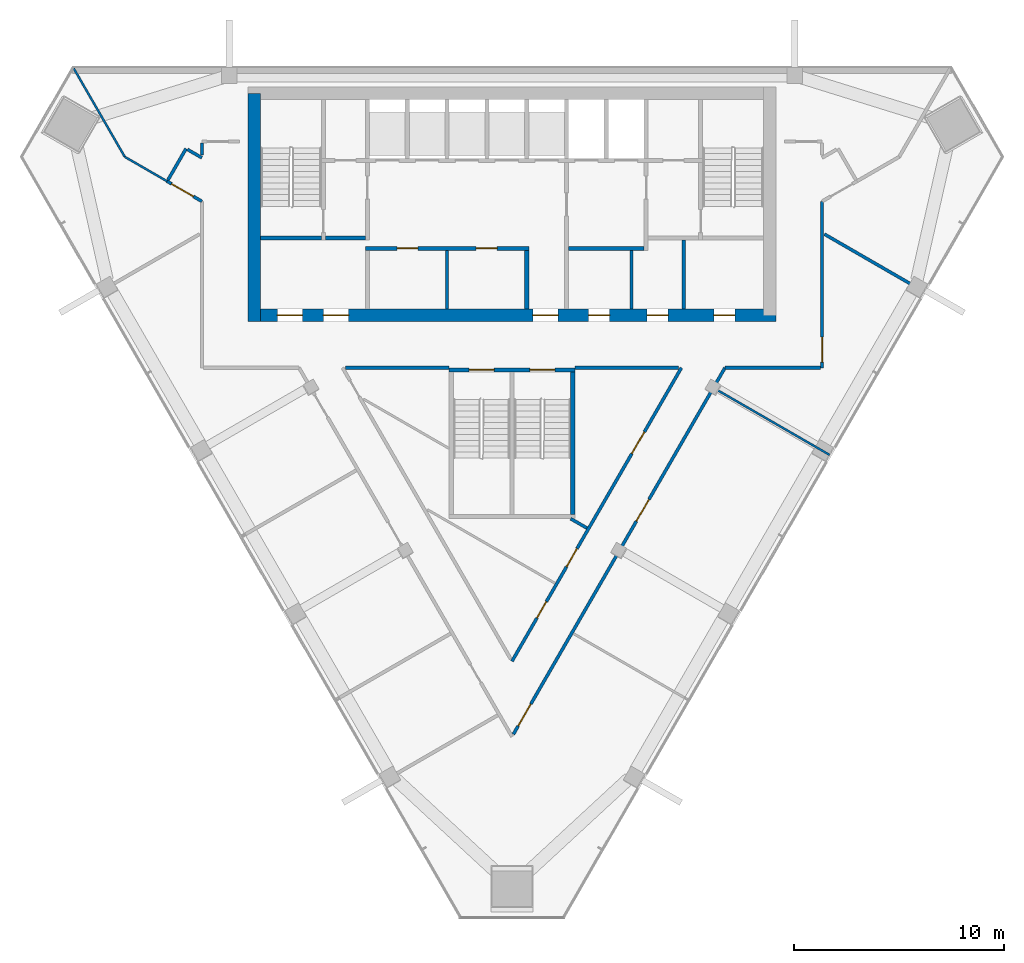
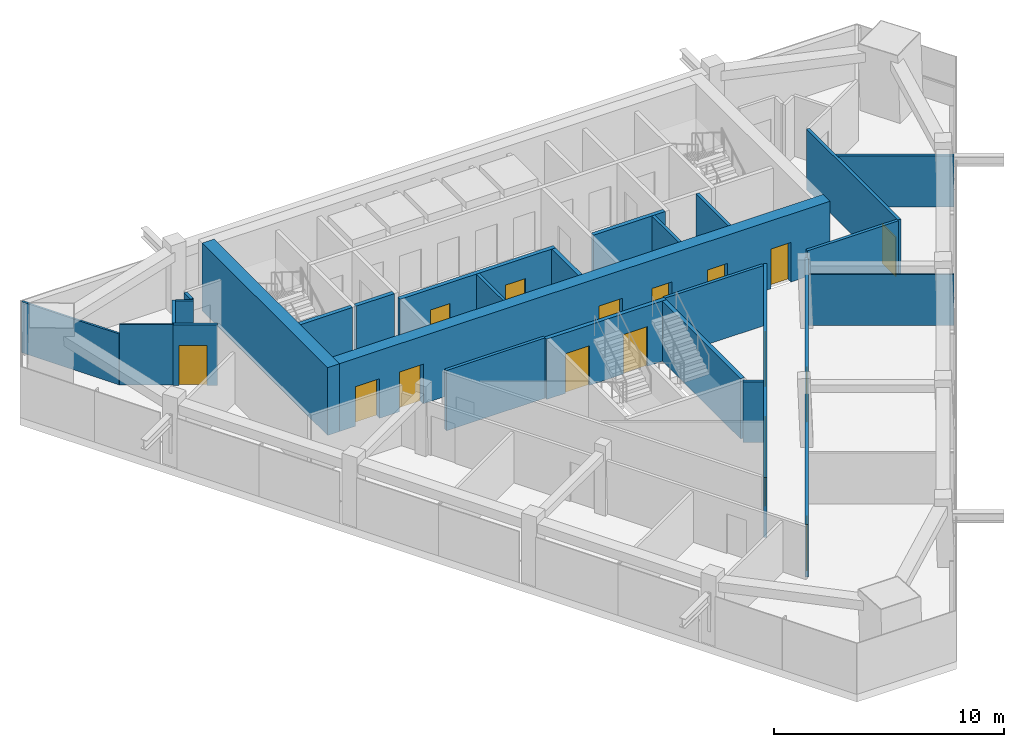
# One storey, part 8 of 12: 27 walls, 17 doors, 17 openings.
"""IFC4 building model written with IfcOpenShell, lengths in metres."""

from ifc_helpers import new_model, si_unit, direction, frame, frame_2d, origin, place, context, subcontext, project, spatial, rectangle, extrude, material, layer, layer_set, type_object, element, fill, save


model = new_model("IFC4")

# Units and contexts
model_context = context("Model", 3, precision=1e-05, world=origin(), true_north=direction((0.0, 1.0)))
body_context = subcontext(model_context, "Body", "Model", "MODEL_VIEW")
ifc_project = project(units=[si_unit("LENGTHUNIT", "METRE"), si_unit("AREAUNIT", "SQUARE_METRE"), si_unit("VOLUMEUNIT", "CUBIC_METRE"), si_unit("PLANEANGLEUNIT", "RADIAN"), si_unit("MASSUNIT", "GRAM", prefix="KILO")], contexts=[model_context])

# Site, building, storey
site_placement = place(None, origin())
site = spatial("IfcSite", under=ifc_project, at=site_placement, CompositionType="ELEMENT")
building_placement = place(site_placement, origin())
building = spatial("IfcBuilding", under=site, at=building_placement, Name="Altiplano Prism Tower", CompositionType="ELEMENT")
storey_placement = place(building_placement, frame((0.0, 0.0, 260.800048828125)))
storey = spatial("IfcBuildingStorey", under=building, at=storey_placement, Name="L67", CompositionType="ELEMENT", Elevation=260.800048828125)

# Wall, openings, doors
ifc_material_1 = material(Name="Concrete C60/75", Category="concrete")
ifc_layer_1 = layer(ifc_material_1, 0.60009765625)
ifc_layer_set_1 = layer_set([ifc_layer_1], Name="Concrete C60/75")
wall_type_1 = type_object("IfcWallType", Name="Core wall 600", PredefinedType="SHEAR", material=ifc_layer_set_1)
wall_1_placement = place(storey_placement, frame((72.699951171875, 93.10009765625, 0.0), z_axis=(0.0, 0.0, 1.0), x_axis=(1.0, 0.0, 0.0)))
wall_1 = element("IfcWall", 1, at=wall_1_placement, inside=storey, type_object=wall_type_1, Name="Core wall S L67", PredefinedType="SHEAR", context=body_context, shape_type="SweptSolid", body=[
    extrude(rectangle(XDim=24.900146484375, YDim=0.60009765625, at=frame_2d((12.4501953125, 0.0))), origin(), (0.0, 0.0, 1.0), 3.599853515625),
])
opening_1_placement = place(wall_1_placement, frame((1.10009765625, 0.0, 0.0)))
opening_1 = element("IfcOpeningElement", 2, at=opening_1_placement, cuts=wall_1, Name="Opening D3522", PredefinedType="OPENING", context=body_context, shape_type="SweptSolid", body=[
    extrude(rectangle(XDim=1.199951171875, YDim=2.10009765625, at=frame_2d((0.60009765625, 1.050048828125))), frame((0.0, 0.310546875, 0.0), z_axis=(0.0, -1.0, 0.0), x_axis=(1.0, 0.0, 0.0)), (0.0, 0.0, 1.0), 0.62109375),
])
opening_2_placement = place(wall_1_placement, frame((3.300048828125, 0.0, 0.0)))
opening_2 = element("IfcOpeningElement", 3, at=opening_2_placement, cuts=wall_1, Name="Opening D3523", PredefinedType="OPENING", context=body_context, shape_type="SweptSolid", body=[
    extrude(rectangle(XDim=1.199951171875, YDim=2.10009765625, at=frame_2d((0.60009765625, 1.050048828125))), frame((0.0, 0.310546875, 0.0), z_axis=(0.0, -1.0, 0.0), x_axis=(1.0, 0.0, 0.0)), (0.0, 0.0, 1.0), 0.62109375),
])
opening_3_placement = place(wall_1_placement, frame((13.300048828125, 0.0, 0.0)))
opening_3 = element("IfcOpeningElement", 4, at=opening_3_placement, cuts=wall_1, Name="Opening D3524", PredefinedType="OPENING", context=body_context, shape_type="SweptSolid", body=[
    extrude(rectangle(XDim=1.199951171875, YDim=2.10009765625, at=frame_2d((0.60009765625, 1.050048828125))), frame((0.0, 0.310546875, 0.0), z_axis=(0.0, -1.0, 0.0), x_axis=(1.0, 0.0, 0.0)), (0.0, 0.0, 1.0), 0.62109375),
])
opening_4_placement = place(wall_1_placement, frame((15.96240234375, 0.0, 0.0)))
opening_4 = element("IfcOpeningElement", 5, at=opening_4_placement, cuts=wall_1, Name="Opening D3527", PredefinedType="OPENING", context=body_context, shape_type="SweptSolid", body=[
    extrude(rectangle(XDim=1.0, YDim=2.10009765625, at=frame_2d((0.5, 1.050048828125))), frame((0.0, 0.310546875, 0.0), z_axis=(0.0, -1.0, 0.0), x_axis=(1.0, 0.0, 0.0)), (0.0, 0.0, 1.0), 0.62109375),
])
opening_5_placement = place(wall_1_placement, frame((18.75, 0.0, 0.0)))
opening_5 = element("IfcOpeningElement", 6, at=opening_5_placement, cuts=wall_1, Name="Opening D3528", PredefinedType="OPENING", context=body_context, shape_type="SweptSolid", body=[
    extrude(rectangle(XDim=1.0, YDim=2.10009765625, at=frame_2d((0.5, 1.050048828125))), frame((0.0, 0.310546875, 0.0), z_axis=(0.0, -1.0, 0.0), x_axis=(1.0, 0.0, 0.0)), (0.0, 0.0, 1.0), 0.62109375),
])
opening_6_placement = place(wall_1_placement, frame((21.9375, 0.0, 0.0)))
opening_6 = element("IfcOpeningElement", 7, at=opening_6_placement, cuts=wall_1, Name="Opening D3529", PredefinedType="OPENING", context=body_context, shape_type="SweptSolid", body=[
    extrude(rectangle(XDim=1.0, YDim=2.10009765625, at=frame_2d((0.5, 1.050048828125))), frame((0.0, 0.310546875, 0.0), z_axis=(0.0, -1.0, 0.0), x_axis=(1.0, 0.0, 0.0)), (0.0, 0.0, 1.0), 0.62109375),
])
ifc_material_2 = material(Name="Fire-rated steel door", Category="steel")
door_type_1 = type_object("IfcDoorType", Name="Core room door 1000 x 2100", OperationType="NOTDEFINED", PredefinedType="NOTDEFINED", material=ifc_material_2)
door_1_placement = place(opening_4_placement, origin())
door_1 = element("IfcDoor", 8, at=door_1_placement, inside=storey, type_object=door_type_1, Name="Core room door D3527", OperationType="SINGLE_SWING_RIGHT", OverallHeight=2.10009765625, OverallWidth=1.0, PredefinedType="NOTDEFINED", context=body_context, shape_type="SweptSolid", body=[
    extrude(rectangle(XDim=1.0, YDim=2.10009765625, at=frame_2d((0.5, 1.050048828125))), frame((0.0, 0.02490234375, 0.0), z_axis=(0.0, -1.0, 0.0), x_axis=(1.0, 0.0, 0.0)), (0.0, 0.0, 1.0), 0.050048828125),
])
fill(opening_4, door_1)
door_2_placement = place(opening_5_placement, origin())
door_2 = element("IfcDoor", 9, at=door_2_placement, inside=storey, type_object=door_type_1, Name="Core room door D3528", OperationType="SINGLE_SWING_LEFT", OverallHeight=2.10009765625, OverallWidth=1.0, PredefinedType="NOTDEFINED", context=body_context, shape_type="SweptSolid", body=[
    extrude(rectangle(XDim=1.0, YDim=2.10009765625, at=frame_2d((0.5, 1.050048828125))), frame((0.0, 0.02490234375, 0.0), z_axis=(0.0, -1.0, 0.0), x_axis=(1.0, 0.0, 0.0)), (0.0, 0.0, 1.0), 0.050048828125),
])
fill(opening_5, door_2)
door_3_placement = place(opening_6_placement, origin())
door_3 = element("IfcDoor", 10, at=door_3_placement, inside=storey, type_object=door_type_1, Name="Core room door D3529", OperationType="SINGLE_SWING_RIGHT", OverallHeight=2.10009765625, OverallWidth=1.0, PredefinedType="NOTDEFINED", context=body_context, shape_type="SweptSolid", body=[
    extrude(rectangle(XDim=1.0, YDim=2.10009765625, at=frame_2d((0.5, 1.050048828125))), frame((0.0, 0.02490234375, 0.0), z_axis=(0.0, -1.0, 0.0), x_axis=(1.0, 0.0, 0.0)), (0.0, 0.0, 1.0), 0.050048828125),
])
fill(opening_6, door_3)
door_type_2 = type_object("IfcDoorType", Name="Lobby fire door 1200 x 2100", OperationType="NOTDEFINED", PredefinedType="NOTDEFINED", material=ifc_material_2)
door_4_placement = place(opening_1_placement, origin())
door_4 = element("IfcDoor", 11, at=door_4_placement, inside=storey, type_object=door_type_2, Name="Lobby fire door D3522", OperationType="SINGLE_SWING_RIGHT", OverallHeight=2.10009765625, OverallWidth=1.199951171875, PredefinedType="NOTDEFINED", context=body_context, shape_type="SweptSolid", body=[
    extrude(rectangle(XDim=1.199951171875, YDim=2.10009765625, at=frame_2d((0.60009765625, 1.050048828125))), frame((0.0, 0.02490234375, 0.0), z_axis=(0.0, -1.0, 0.0), x_axis=(1.0, 0.0, 0.0)), (0.0, 0.0, 1.0), 0.050048828125),
])
fill(opening_1, door_4)
door_5_placement = place(opening_2_placement, origin())
door_5 = element("IfcDoor", 12, at=door_5_placement, inside=storey, type_object=door_type_2, Name="Lobby fire door D3523", OperationType="SINGLE_SWING_LEFT", OverallHeight=2.10009765625, OverallWidth=1.199951171875, PredefinedType="NOTDEFINED", context=body_context, shape_type="SweptSolid", body=[
    extrude(rectangle(XDim=1.199951171875, YDim=2.10009765625, at=frame_2d((0.60009765625, 1.050048828125))), frame((0.0, 0.02490234375, 0.0), z_axis=(0.0, -1.0, 0.0), x_axis=(1.0, 0.0, 0.0)), (0.0, 0.0, 1.0), 0.050048828125),
])
fill(opening_2, door_5)
door_6_placement = place(opening_3_placement, origin())
door_6 = element("IfcDoor", 13, at=door_6_placement, inside=storey, type_object=door_type_2, Name="Lobby fire door D3524", OperationType="SINGLE_SWING_RIGHT", OverallHeight=2.10009765625, OverallWidth=1.199951171875, PredefinedType="NOTDEFINED", context=body_context, shape_type="SweptSolid", body=[
    extrude(rectangle(XDim=1.199951171875, YDim=2.10009765625, at=frame_2d((0.60009765625, 1.050048828125))), frame((0.0, 0.02490234375, 0.0), z_axis=(0.0, -1.0, 0.0), x_axis=(1.0, 0.0, 0.0)), (0.0, 0.0, 1.0), 0.050048828125),
])
fill(opening_3, door_6)

# Walls
wall_2_placement = place(storey_placement, frame((72.699951171875, 103.699951171875, 0.0), z_axis=(0.0, 0.0, 1.0), x_axis=(0.0, -1.0, 0.0)))
element("IfcWall", 14, at=wall_2_placement, inside=storey, type_object=wall_type_1, Name="Core wall W L67", PredefinedType="SHEAR", context=body_context, shape_type="SweptSolid", body=[
    extrude(rectangle(XDim=10.89990234375, YDim=0.60009765625, at=frame_2d((5.449951171875, 0.0))), origin(), (0.0, 0.0, 1.0), 3.599853515625),
])
ifc_material_3 = material(Name="Plasterboard on steel stud", Category="steel")
ifc_layer_2 = layer(ifc_material_3, 0.10009765625)
ifc_layer_set_2 = layer_set([ifc_layer_2], Name="Plasterboard on steel stud")
wall_type_2 = type_object("IfcWallType", Name="Partition 100 wet", PredefinedType="PARTITIONING", material=ifc_layer_set_2)
wall_3_placement = place(storey_placement, frame((68.54296875, 99.5, 0.0), z_axis=(0.0, 0.0, 1.0), x_axis=(-0.866042970182, 0.499969572873, 0.0)))
element("IfcWall", 15, at=wall_3_placement, inside=storey, type_object=wall_type_2, Name="Partition P03 L67 024", PredefinedType="PARTITIONING", context=body_context, shape_type="SweptSolid", body=[
    extrude(rectangle(XDim=2.337646484375, YDim=0.10009765625, at=frame_2d((1.1689453125, 0.0))), origin(), (0.0, 0.0, 1.0), 3.199951171875),
])
wall_4_placement = place(storey_placement, frame((66.5185546875, 100.668701171875, 0.0), z_axis=(0.0, 0.0, 1.0), x_axis=(-0.499997844476, 0.866026648273, 0.0)))
element("IfcWall", 16, at=wall_4_placement, inside=storey, type_object=wall_type_2, Name="Partition P03 L67 025", PredefinedType="PARTITIONING", context=body_context, shape_type="SweptSolid", body=[
    extrude(rectangle(XDim=4.8857421875, YDim=0.10009765625, at=frame_2d((2.44287109375, 0.0))), origin(), (0.0, 0.0, 1.0), 2.699951171875),
])
wall_5_placement = place(storey_placement, frame((100.155029296875, 86.44482421875, 0.0), z_axis=(0.0, 0.0, 1.0), x_axis=(-0.866015887322, 0.500016482634, 0.0)))
element("IfcWall", 17, at=wall_5_placement, inside=storey, type_object=wall_type_2, Name="Partition P03 L67 030", PredefinedType="PARTITIONING", context=body_context, shape_type="SweptSolid", body=[
    extrude(rectangle(XDim=6.324951171875, YDim=0.10009765625, at=frame_2d((3.16259765625, 0.0))), origin(), (0.0, 0.0, 1.0), 2.699951171875),
])
ifc_layer_3 = layer(ifc_material_3, 0.14990234375)
ifc_layer_set_3 = layer_set([ifc_layer_3], Name="Plasterboard on steel stud")
wall_type_3 = type_object("IfcWallType", Name="Partition 150 corridor", PredefinedType="PARTITIONING", material=ifc_layer_set_3)
wall_6_placement = place(storey_placement, frame((77.04443359375, 90.599853515625, 0.0), z_axis=(0.0, 0.0, 1.0), x_axis=(0.999999989078, -0.000147797811, 0.0)))
element("IfcWall", 18, at=wall_6_placement, inside=storey, type_object=wall_type_3, Name="Partition P06 L67 001", PredefinedType="PARTITIONING", context=body_context, shape_type="SweptSolid", body=[
    extrude(rectangle(XDim=4.95556640625, YDim=0.14990234375, at=frame_2d((2.477783203125, 0.0))), origin(), (0.0, 0.0, 1.0), 3.199951171875),
])

# Wall, opening, door
wall_7_placement = place(storey_placement, frame((68.525634765625, 99.510009765625, 0.0), z_axis=(0.0, 0.0, 1.0), x_axis=(0.865996321171, -0.50005036918, 0.0)))
wall_7 = element("IfcWall", 19, at=wall_7_placement, inside=storey, type_object=wall_type_3, Name="Partition P06 L67 003", PredefinedType="PARTITIONING", context=body_context, shape_type="SweptSolid", body=[
    extrude(rectangle(XDim=1.933349609375, YDim=0.14990234375, at=frame_2d((0.966796875, 0.0))), origin(), (0.0, 0.0, 1.0), 3.199951171875),
])
opening_7_placement = place(wall_7_placement, frame((0.26708984375, 0.0, 0.0)))
opening_7 = element("IfcOpeningElement", 20, at=opening_7_placement, cuts=wall_7, Name="Opening D2142", PredefinedType="OPENING", context=body_context, shape_type="SweptSolid", body=[
    extrude(rectangle(XDim=1.199951171875, YDim=2.10009765625, at=frame_2d((0.60009765625, 1.050048828125))), frame((0.0, 0.08544921875, 0.0), z_axis=(0.0, -1.0, 0.0), x_axis=(1.0, 0.0, 0.0)), (0.0, 0.0, 1.0), 0.1708984375),
])
ifc_material_4 = material(Name="Timber", Category="wood")
door_type_3 = type_object("IfcDoorType", Name="Shared room door 1200 x 2100", OperationType="NOTDEFINED", PredefinedType="NOTDEFINED", material=ifc_material_4)
door_7_placement = place(opening_7_placement, origin())
door_7 = element("IfcDoor", 21, at=door_7_placement, inside=storey, type_object=door_type_3, Name="Door D2142", OperationType="SINGLE_SWING_LEFT", OverallHeight=2.10009765625, OverallWidth=1.199951171875, PredefinedType="NOTDEFINED", context=body_context, shape_type="SweptSolid", body=[
    extrude(rectangle(XDim=1.199951171875, YDim=2.10009765625, at=frame_2d((0.60009765625, 1.050048828125))), frame((0.0, 0.02490234375, 0.0), z_axis=(0.0, -1.0, 0.0), x_axis=(1.0, 0.0, 0.0)), (0.0, 0.0, 1.0), 0.050048828125),
])
fill(opening_7, door_7)

# Wall, openings, doors
wall_8_placement = place(storey_placement, frame((85.06494140625, 73.108154296875, 0.0), z_axis=(0.0, 0.0, 1.0), x_axis=(0.499996240173, 0.866027574511, 0.0)))
wall_8 = element("IfcWall", 22, at=wall_8_placement, inside=storey, type_object=wall_type_3, Name="Partition P06 L67 007", PredefinedType="PARTITIONING", context=body_context, shape_type="SweptSolid", body=[
    extrude(rectangle(XDim=20.197998046875, YDim=0.14990234375, at=frame_2d((10.09912109375, 0.0))), origin(), (0.0, 0.0, 1.0), 2.800048828125),
])
opening_8_placement = place(wall_8_placement, frame((0.465087890625, 0.0, 0.0)))
opening_8 = element("IfcOpeningElement", 23, at=opening_8_placement, cuts=wall_8, Name="Opening D2146", PredefinedType="OPENING", context=body_context, shape_type="SweptSolid", body=[
    extrude(rectangle(XDim=1.199951171875, YDim=2.10009765625, at=frame_2d((0.60009765625, 1.050048828125))), frame((0.0, 0.08544921875, 0.0), z_axis=(0.0, -1.0, 0.0), x_axis=(1.0, 0.0, 0.0)), (0.0, 0.0, 1.0), 0.1708984375),
])
opening_9_placement = place(wall_8_placement, frame((11.7451171875, 0.0, 0.0)))
opening_9 = element("IfcOpeningElement", 24, at=opening_9_placement, cuts=wall_8, Name="Opening D2147", PredefinedType="OPENING", context=body_context, shape_type="SweptSolid", body=[
    extrude(rectangle(XDim=1.199951171875, YDim=2.10009765625, at=frame_2d((0.60009765625, 1.050048828125))), frame((0.0, 0.08544921875, 0.0), z_axis=(0.0, -1.0, 0.0), x_axis=(1.0, 0.0, 0.0)), (0.0, 0.0, 1.0), 0.1708984375),
])
door_8_placement = place(opening_8_placement, origin())
door_8 = element("IfcDoor", 25, at=door_8_placement, inside=storey, type_object=door_type_3, Name="Door D2146", OperationType="SINGLE_SWING_LEFT", OverallHeight=2.10009765625, OverallWidth=1.199951171875, PredefinedType="NOTDEFINED", context=body_context, shape_type="SweptSolid", body=[
    extrude(rectangle(XDim=1.199951171875, YDim=2.10009765625, at=frame_2d((0.60009765625, 1.050048828125))), frame((0.0, 0.02490234375, 0.0), z_axis=(0.0, -1.0, 0.0), x_axis=(1.0, 0.0, 0.0)), (0.0, 0.0, 1.0), 0.050048828125),
])
fill(opening_8, door_8)
door_9_placement = place(opening_9_placement, origin())
door_9 = element("IfcDoor", 26, at=door_9_placement, inside=storey, type_object=door_type_3, Name="Door D2147", OperationType="SINGLE_SWING_RIGHT", OverallHeight=2.10009765625, OverallWidth=1.199951171875, PredefinedType="NOTDEFINED", context=body_context, shape_type="SweptSolid", body=[
    extrude(rectangle(XDim=1.199951171875, YDim=2.10009765625, at=frame_2d((0.60009765625, 1.050048828125))), frame((0.0, 0.02490234375, 0.0), z_axis=(0.0, -1.0, 0.0), x_axis=(1.0, 0.0, 0.0)), (0.0, 0.0, 1.0), 0.050048828125),
])
fill(opening_9, door_9)

# Wall
wall_9_placement = place(storey_placement, frame((95.163818359375, 90.60009765625, 0.0), z_axis=(0.0, 0.0, 1.0), x_axis=(1.0, 0.0, 0.0)))
element("IfcWall", 27, at=wall_9_placement, inside=storey, type_object=wall_type_3, Name="Partition P06 L67 008", PredefinedType="PARTITIONING", context=body_context, shape_type="SweptSolid", body=[
    extrude(rectangle(XDim=4.561279296875, YDim=0.14990234375, at=frame_2d((2.28076171875, 0.0))), origin(), (0.0, 0.0, 1.0), 3.199951171875),
])

# Wall, opening, door
wall_10_placement = place(storey_placement, frame((99.800048828125, 90.60009765625, 0.0), z_axis=(0.0, 0.0, 1.0), x_axis=(0.0, 1.0, 0.0)))
wall_10 = element("IfcWall", 28, at=wall_10_placement, inside=storey, type_object=wall_type_3, Name="Partition P06 L67 009", PredefinedType="PARTITIONING", context=body_context, shape_type="SweptSolid", body=[
    extrude(rectangle(XDim=7.943115234375, YDim=0.14990234375, at=frame_2d((3.9716796875, 0.0))), origin(), (0.0, 0.0, 1.0), 3.199951171875),
])
opening_10_placement = place(wall_10_placement, frame((0.26904296875, 0.0, 0.0)))
opening_10 = element("IfcOpeningElement", 29, at=opening_10_placement, cuts=wall_10, Name="Opening D2148", PredefinedType="OPENING", context=body_context, shape_type="SweptSolid", body=[
    extrude(rectangle(XDim=1.199951171875, YDim=2.10009765625, at=frame_2d((0.60009765625, 1.050048828125))), frame((0.0, 0.08544921875, 0.0), z_axis=(0.0, -1.0, 0.0), x_axis=(1.0, 0.0, 0.0)), (0.0, 0.0, 1.0), 0.1708984375),
])
door_10_placement = place(opening_10_placement, origin())
door_10 = element("IfcDoor", 30, at=door_10_placement, inside=storey, type_object=door_type_3, Name="Door D2148", OperationType="SINGLE_SWING_RIGHT", OverallHeight=2.10009765625, OverallWidth=1.199951171875, PredefinedType="NOTDEFINED", context=body_context, shape_type="SweptSolid", body=[
    extrude(rectangle(XDim=1.199951171875, YDim=2.10009765625, at=frame_2d((0.60009765625, 1.050048828125))), frame((0.0, 0.02490234375, 0.0), z_axis=(0.0, -1.0, 0.0), x_axis=(1.0, 0.0, 0.0)), (0.0, 0.0, 1.0), 0.050048828125),
])
fill(opening_10, door_10)

# Walls
wall_11_placement = place(storey_placement, frame((70.199951171875, 101.324951171875, 0.0), z_axis=(0.0, 0.0, 1.0), x_axis=(0.0, -1.0, 0.0)))
element("IfcWall", 31, at=wall_11_placement, inside=storey, type_object=wall_type_3, Name="Partition P06 L67 012", PredefinedType="PARTITIONING", context=body_context, shape_type="SweptSolid", body=[
    extrude(rectangle(XDim=0.5732421875, YDim=0.14990234375, at=frame_2d((0.28662109375, 0.0))), origin(), (0.0, 0.0, 1.0), 3.199951171875),
])
wall_12_placement = place(storey_placement, frame((70.199951171875, 100.621826171875, 0.0), z_axis=(0.0, 0.0, 1.0), x_axis=(-0.86612963205, 0.499819427878, 0.0)))
element("IfcWall", 32, at=wall_12_placement, inside=storey, type_object=wall_type_3, Name="Partition P06 L67 013", PredefinedType="PARTITIONING", context=body_context, shape_type="SweptSolid", body=[
    extrude(rectangle(XDim=0.799072265625, YDim=0.14990234375, at=frame_2d((0.3994140625, 0.0))), origin(), (0.0, 0.0, 1.0), 3.199951171875),
])
wall_13_placement = place(storey_placement, frame((69.44287109375, 101.058837890625, 0.0), z_axis=(0.0, 0.0, 1.0), x_axis=(-0.499914405916, -0.866074815912, 0.0)))
element("IfcWall", 33, at=wall_13_placement, inside=storey, type_object=wall_type_3, Name="Partition P06 L67 014", PredefinedType="PARTITIONING", context=body_context, shape_type="SweptSolid", body=[
    extrude(rectangle(XDim=1.724853515625, YDim=0.14990234375, at=frame_2d((0.8623046875, 0.0))), origin(), (0.0, 0.0, 1.0), 3.199951171875),
])
wall_14_placement = place(storey_placement, frame((88.0, 90.59912109375, 0.0), z_axis=(0.0, 0.0, 1.0), x_axis=(0.999999989078, 0.000147797811, 0.0)))
element("IfcWall", 34, at=wall_14_placement, inside=storey, type_object=wall_type_3, Name="Partition P06 L67 019", PredefinedType="PARTITIONING", context=body_context, shape_type="SweptSolid", body=[
    extrude(rectangle(XDim=4.95556640625, YDim=0.14990234375, at=frame_2d((2.477783203125, 0.0))), origin(), (0.0, 0.0, 1.0), 3.199951171875),
])

# Wall, openings, doors
wall_15_placement = place(storey_placement, frame((93.08544921875, 90.60009765625, 0.0), z_axis=(0.0, 0.0, 1.0), x_axis=(-0.500000383388, -0.866025182435, 0.0)))
wall_15 = element("IfcWall", 35, at=wall_15_placement, inside=storey, type_object=wall_type_3, Name="Partition P06 L67 020", PredefinedType="PARTITIONING", context=body_context, shape_type="SweptSolid", body=[
    extrude(rectangle(XDim=16.1708984375, YDim=0.14990234375, at=frame_2d((8.08544921875, 0.0))), origin(), (0.0, 0.0, 1.0), 3.199951171875),
])
opening_11_placement = place(wall_15_placement, frame((12.888916015625, 0.0, 0.0)))
opening_11 = element("IfcOpeningElement", 36, at=opening_11_placement, cuts=wall_15, Name="Opening D2141", PredefinedType="OPENING", context=body_context, shape_type="SweptSolid", body=[
    extrude(rectangle(XDim=0.89990234375, YDim=2.10009765625, at=frame_2d((0.449951171875, 1.050048828125))), frame((0.0, 0.08544921875, 0.0), z_axis=(0.0, -1.0, 0.0), x_axis=(1.0, 0.0, 0.0)), (0.0, 0.0, 1.0), 0.1708984375),
])
opening_12_placement = place(wall_15_placement, frame((3.529052734375, 0.0, 0.0)))
opening_12 = element("IfcOpeningElement", 37, at=opening_12_placement, cuts=wall_15, Name="Opening D2152", PredefinedType="OPENING", context=body_context, shape_type="SweptSolid", body=[
    extrude(rectangle(XDim=1.199951171875, YDim=2.10009765625, at=frame_2d((0.60009765625, 1.050048828125))), frame((0.0, 0.08544921875, 0.0), z_axis=(0.0, -1.0, 0.0), x_axis=(1.0, 0.0, 0.0)), (0.0, 0.0, 1.0), 0.1708984375),
])
opening_13_placement = place(wall_15_placement, frame((9.965087890625, 0.0, 0.0)))
opening_13 = element("IfcOpeningElement", 38, at=opening_13_placement, cuts=wall_15, Name="Opening D2153", PredefinedType="OPENING", context=body_context, shape_type="SweptSolid", body=[
    extrude(rectangle(XDim=1.0, YDim=2.10009765625, at=frame_2d((0.5, 1.050048828125))), frame((0.0, 0.08544921875, 0.0), z_axis=(0.0, -1.0, 0.0), x_axis=(1.0, 0.0, 0.0)), (0.0, 0.0, 1.0), 0.1708984375),
])
door_type_4 = type_object("IfcDoorType", Name="Room door 1000 x 2100", OperationType="NOTDEFINED", PredefinedType="NOTDEFINED", material=ifc_material_4)
door_11_placement = place(opening_13_placement, origin())
door_11 = element("IfcDoor", 39, at=door_11_placement, inside=storey, type_object=door_type_4, Name="Door D2153", OperationType="SINGLE_SWING_LEFT", OverallHeight=2.10009765625, OverallWidth=1.0, PredefinedType="NOTDEFINED", context=body_context, shape_type="SweptSolid", body=[
    extrude(rectangle(XDim=1.0, YDim=2.10009765625, at=frame_2d((0.5, 1.050048828125))), frame((0.0, 0.02490234375, 0.0), z_axis=(0.0, -1.0, 0.0), x_axis=(1.0, 0.0, 0.0)), (0.0, 0.0, 1.0), 0.050048828125),
])
fill(opening_13, door_11)
door_12_placement = place(opening_12_placement, origin())
door_12 = element("IfcDoor", 40, at=door_12_placement, inside=storey, type_object=door_type_3, Name="Door D2152", OperationType="SINGLE_SWING_LEFT", OverallHeight=2.10009765625, OverallWidth=1.199951171875, PredefinedType="NOTDEFINED", context=body_context, shape_type="SweptSolid", body=[
    extrude(rectangle(XDim=1.199951171875, YDim=2.10009765625, at=frame_2d((0.60009765625, 1.050048828125))), frame((0.0, 0.02490234375, 0.0), z_axis=(0.0, -1.0, 0.0), x_axis=(1.0, 0.0, 0.0)), (0.0, 0.0, 1.0), 0.050048828125),
])
fill(opening_12, door_12)
door_type_5 = type_object("IfcDoorType", Name="Toilet door 900 x 2100", OperationType="NOTDEFINED", PredefinedType="NOTDEFINED", material=ifc_material_4)
door_13_placement = place(opening_11_placement, origin())
door_13 = element("IfcDoor", 41, at=door_13_placement, inside=storey, type_object=door_type_5, Name="Door D2141", OperationType="SINGLE_SWING_LEFT", OverallHeight=2.10009765625, OverallWidth=0.89990234375, PredefinedType="NOTDEFINED", context=body_context, shape_type="SweptSolid", body=[
    extrude(rectangle(XDim=0.89990234375, YDim=2.10009765625, at=frame_2d((0.449951171875, 1.050048828125))), frame((0.0, 0.02490234375, 0.0), z_axis=(0.0, -1.0, 0.0), x_axis=(1.0, 0.0, 0.0)), (0.0, 0.0, 1.0), 0.050048828125),
])
fill(opening_11, door_13)

# Walls
ifc_layer_4 = layer(ifc_material_3, 0.14990234375)
ifc_layer_set_4 = layer_set([ifc_layer_4], Name="Plasterboard on steel stud")
wall_type_4 = type_object("IfcWallType", Name="Partition 150 party", PredefinedType="PARTITIONING", material=ifc_layer_set_4)
wall_16_placement = place(storey_placement, frame((104.655029296875, 94.2392578125, 0.0), z_axis=(0.0, 0.0, 1.0), x_axis=(-0.866025963225, 0.49999903102, 0.0)))
element("IfcWall", 42, at=wall_16_placement, inside=storey, type_object=wall_type_4, Name="Partition P01 L67 031", PredefinedType="PARTITIONING", context=body_context, shape_type="SweptSolid", body=[
    extrude(rectangle(XDim=5.47607421875, YDim=0.14990234375, at=frame_2d((2.738037109375, 0.0))), origin(), (0.0, 0.0, 1.0), 2.699951171875),
])
wall_17_placement = place(storey_placement, frame((87.797607421875, 83.39990234375, 0.0), z_axis=(0.0, 0.0, 1.0), x_axis=(0.866041729639, -0.499971721724, 0.0)))
element("IfcWall", 43, at=wall_17_placement, inside=storey, type_object=wall_type_4, Name="Partition P01 L67 034", PredefinedType="PARTITIONING", context=body_context, shape_type="SweptSolid", body=[
    extrude(rectangle(XDim=0.904296875, YDim=0.14990234375, at=frame_2d((0.4521484375, 0.0))), origin(), (0.0, 0.0, 1.0), 3.199951171875),
])
ifc_material_5 = material(Name="Fire-rated gypsum board partition")
ifc_layer_5 = layer(ifc_material_5, 0.14990234375)
ifc_layer_set_5 = layer_set([ifc_layer_5], Name="Fire-rated gypsum board partition")
wall_type_5 = type_object("IfcWallType", Name="Room partition 150", PredefinedType="PARTITIONING", material=ifc_layer_set_5)
for number, where, z_axis, x_axis, name in (
    (44, (81.89990234375, 93.39990234375, 0.0), (0.0, 0.0, 1.0), (0.0, 1.0, 0.0), "Room partition L67"),
    (45, (90.699951171875, 93.39990234375, 0.0), (0.0, 0.0, 1.0), (0.0, 1.0, 0.0), "Room partition L67"),
):
    element("IfcWall", number, at=place(storey_placement, frame(where, z_axis=z_axis, x_axis=x_axis)), inside=storey, type_object=wall_type_5, Name=name, PredefinedType="PARTITIONING", context=body_context, shape_type="SweptSolid", body=[
        extrude(rectangle(XDim=2.800048828125, YDim=0.14990234375, at=frame_2d((1.39990234375, 0.0))), origin(), (0.0, 0.0, 1.0), 3.199951171875),
    ])
wall_18_placement = place(storey_placement, frame((93.199951171875, 93.39990234375, 0.0), z_axis=(0.0, 0.0, 1.0), x_axis=(0.0, 1.0, 0.0)))
element("IfcWall", 46, at=wall_18_placement, inside=storey, type_object=wall_type_5, Name="Room partition L67", PredefinedType="PARTITIONING", context=body_context, shape_type="SweptSolid", body=[
    extrude(rectangle(XDim=3.300048828125, YDim=0.14990234375, at=frame_2d((1.64990234375, 0.0))), origin(), (0.0, 0.0, 1.0), 3.199951171875),
])
ifc_layer_6 = layer(ifc_material_1, 0.199951171875)
ifc_layer_set_6 = layer_set([ifc_layer_6], Name="Concrete C60/75")
wall_type_6 = type_object("IfcWallType", Name="Stair wall 200", PredefinedType="SOLIDWALL", material=ifc_layer_set_6)
wall_19_placement = place(storey_placement, frame((73.0, 96.800048828125, 0.0), z_axis=(0.0, 0.0, 1.0), x_axis=(1.0, 0.0, 0.0)))
element("IfcWall", 47, at=wall_19_placement, inside=storey, type_object=wall_type_6, Name="Stair wall L67", PredefinedType="SOLIDWALL", context=body_context, shape_type="SweptSolid", body=[
    extrude(rectangle(XDim=2.89990234375, YDim=0.199951171875, at=frame_2d((1.449951171875, 0.0))), origin(), (0.0, 0.0, 1.0), 3.199951171875),
])

# Wall, openings, doors
wall_20_placement = place(storey_placement, frame((82.0, 90.5, 0.0), z_axis=(0.0, 0.0, 1.0), x_axis=(1.0, 0.0, 0.0)))
wall_20 = element("IfcWall", 48, at=wall_20_placement, inside=storey, type_object=wall_type_6, Name="Stair 3 wall north L67", PredefinedType="SOLIDWALL", context=body_context, shape_type="SweptSolid", body=[
    extrude(rectangle(XDim=6.0, YDim=0.199951171875, at=frame_2d((3.0, 0.0))), origin(), (0.0, 0.0, 1.0), 3.199951171875),
])
opening_14_placement = place(wall_20_placement, frame((0.949951171875, 0.0, 0.0)))
opening_14 = element("IfcOpeningElement", 49, at=opening_14_placement, cuts=wall_20, Name="Opening D4056", PredefinedType="OPENING", context=body_context, shape_type="SweptSolid", body=[
    extrude(rectangle(XDim=1.199951171875, YDim=2.10009765625, at=frame_2d((0.60009765625, 1.050048828125))), frame((0.0, 0.1103515625, 0.0), z_axis=(0.0, -1.0, 0.0), x_axis=(1.0, 0.0, 0.0)), (0.0, 0.0, 1.0), 0.220947265625),
])
opening_15_placement = place(wall_20_placement, frame((3.85009765625, 0.0, 0.0)))
opening_15 = element("IfcOpeningElement", 50, at=opening_15_placement, cuts=wall_20, Name="Opening D4057", PredefinedType="OPENING", context=body_context, shape_type="SweptSolid", body=[
    extrude(rectangle(XDim=1.199951171875, YDim=2.10009765625, at=frame_2d((0.60009765625, 1.050048828125))), frame((0.0, 0.1103515625, 0.0), z_axis=(0.0, -1.0, 0.0), x_axis=(1.0, 0.0, 0.0)), (0.0, 0.0, 1.0), 0.220947265625),
])
door_type_6 = type_object("IfcDoorType", Name="Stair fire door 1200 x 2100", OperationType="NOTDEFINED", PredefinedType="NOTDEFINED", material=ifc_material_2)
door_14_placement = place(opening_14_placement, origin())
door_14 = element("IfcDoor", 51, at=door_14_placement, inside=storey, type_object=door_type_6, Name="Stair fire door D4056", OperationType="SINGLE_SWING_LEFT", OverallHeight=2.10009765625, OverallWidth=1.199951171875, PredefinedType="NOTDEFINED", context=body_context, shape_type="SweptSolid", body=[
    extrude(rectangle(XDim=1.199951171875, YDim=2.10009765625, at=frame_2d((0.60009765625, 1.050048828125))), frame((0.0, 0.02490234375, 0.0), z_axis=(0.0, -1.0, 0.0), x_axis=(1.0, 0.0, 0.0)), (0.0, 0.0, 1.0), 0.050048828125),
])
fill(opening_14, door_14)
door_15_placement = place(opening_15_placement, origin())
door_15 = element("IfcDoor", 52, at=door_15_placement, inside=storey, type_object=door_type_6, Name="Stair fire door D4057", OperationType="SINGLE_SWING_LEFT", OverallHeight=2.10009765625, OverallWidth=1.199951171875, PredefinedType="NOTDEFINED", context=body_context, shape_type="SweptSolid", body=[
    extrude(rectangle(XDim=1.199951171875, YDim=2.10009765625, at=frame_2d((0.60009765625, 1.050048828125))), frame((0.0, 0.02490234375, 0.0), z_axis=(0.0, -1.0, 0.0), x_axis=(1.0, 0.0, 0.0)), (0.0, 0.0, 1.0), 0.050048828125),
])
fill(opening_15, door_15)

# Walls
wall_21_placement = place(storey_placement, frame((87.89990234375, 83.60009765625, 0.0), z_axis=(0.0, 0.0, 1.0), x_axis=(0.0, 1.0, 0.0)))
element("IfcWall", 53, at=wall_21_placement, inside=storey, type_object=wall_type_6, Name="Stair 3 wall east L67", PredefinedType="SOLIDWALL", context=body_context, shape_type="SweptSolid", body=[
    extrude(rectangle(XDim=6.7998046875, YDim=0.199951171875, at=frame_2d((3.39990234375, 0.0))), origin(), (0.0, 0.0, 1.0), 3.199951171875),
])
ifc_layer_7 = layer(ifc_material_1, 0.199951171875)
ifc_layer_set_7 = layer_set([ifc_layer_7], Name="Concrete C60/75")
wall_type_7 = type_object("IfcWallType", Name="Vestibule wall 200", PredefinedType="PARTITIONING", material=ifc_layer_set_7)
wall_22_placement = place(storey_placement, frame((85.699951171875, 93.39990234375, 0.0), z_axis=(0.0, 0.0, 1.0), x_axis=(0.0, 1.0, 0.0)))
element("IfcWall", 54, at=wall_22_placement, inside=storey, type_object=wall_type_7, Name="Vestibule wall L67", PredefinedType="PARTITIONING", context=body_context, shape_type="SweptSolid", body=[
    extrude(rectangle(XDim=2.800048828125, YDim=0.199951171875, at=frame_2d((1.39990234375, 0.0))), origin(), (0.0, 0.0, 1.0), 3.199951171875),
])

# Wall, openings, doors
wall_23_placement = place(storey_placement, frame((78.0, 96.300048828125, 0.0), z_axis=(0.0, 0.0, 1.0), x_axis=(1.0, 0.0, 0.0)))
wall_23 = element("IfcWall", 55, at=wall_23_placement, inside=storey, type_object=wall_type_7, Name="Vestibule wall L67", PredefinedType="PARTITIONING", context=body_context, shape_type="SweptSolid", body=[
    extrude(rectangle(XDim=7.800048828125, YDim=0.199951171875, at=frame_2d((3.89990234375, 0.0))), origin(), (0.0, 0.0, 1.0), 3.199951171875),
])
opening_16_placement = place(wall_23_placement, frame((1.512451171875, 0.0, 0.0)))
opening_16 = element("IfcOpeningElement", 56, at=opening_16_placement, cuts=wall_23, Name="Opening D3530", PredefinedType="OPENING", context=body_context, shape_type="SweptSolid", body=[
    extrude(rectangle(XDim=1.0, YDim=2.10009765625, at=frame_2d((0.5, 1.050048828125))), frame((0.0, 0.1103515625, 0.0), z_axis=(0.0, -1.0, 0.0), x_axis=(1.0, 0.0, 0.0)), (0.0, 0.0, 1.0), 0.220947265625),
])
opening_17_placement = place(wall_23_placement, frame((5.28759765625, 0.0, 0.0)))
opening_17 = element("IfcOpeningElement", 57, at=opening_17_placement, cuts=wall_23, Name="Opening D3531", PredefinedType="OPENING", context=body_context, shape_type="SweptSolid", body=[
    extrude(rectangle(XDim=1.0, YDim=2.10009765625, at=frame_2d((0.5, 1.050048828125))), frame((0.0, 0.1103515625, 0.0), z_axis=(0.0, -1.0, 0.0), x_axis=(1.0, 0.0, 0.0)), (0.0, 0.0, 1.0), 0.220947265625),
])
door_16_placement = place(opening_16_placement, origin())
door_16 = element("IfcDoor", 58, at=door_16_placement, inside=storey, type_object=door_type_1, Name="Core room door D3530", OperationType="SINGLE_SWING_RIGHT", OverallHeight=2.10009765625, OverallWidth=1.0, PredefinedType="NOTDEFINED", context=body_context, shape_type="SweptSolid", body=[
    extrude(rectangle(XDim=1.0, YDim=2.10009765625, at=frame_2d((0.5, 1.050048828125))), frame((0.0, 0.02490234375, 0.0), z_axis=(0.0, -1.0, 0.0), x_axis=(1.0, 0.0, 0.0)), (0.0, 0.0, 1.0), 0.050048828125),
])
fill(opening_16, door_16)
door_17_placement = place(opening_17_placement, origin())
door_17 = element("IfcDoor", 59, at=door_17_placement, inside=storey, type_object=door_type_1, Name="Core room door D3531", OperationType="SINGLE_SWING_RIGHT", OverallHeight=2.10009765625, OverallWidth=1.0, PredefinedType="NOTDEFINED", context=body_context, shape_type="SweptSolid", body=[
    extrude(rectangle(XDim=1.0, YDim=2.10009765625, at=frame_2d((0.5, 1.050048828125))), frame((0.0, 0.02490234375, 0.0), z_axis=(0.0, -1.0, 0.0), x_axis=(1.0, 0.0, 0.0)), (0.0, 0.0, 1.0), 0.050048828125),
])
fill(opening_17, door_17)

# Walls
wall_24_placement = place(storey_placement, frame((87.699951171875, 96.300048828125, 0.0), z_axis=(0.0, 0.0, 1.0), x_axis=(1.0, 0.0, 0.0)))
element("IfcWall", 60, at=wall_24_placement, inside=storey, type_object=wall_type_7, Name="Vestibule wall L67", PredefinedType="PARTITIONING", context=body_context, shape_type="SweptSolid", body=[
    extrude(rectangle(XDim=3.60009765625, YDim=0.199951171875, at=frame_2d((1.800048828125, 0.0))), origin(), (0.0, 0.0, 1.0), 3.199951171875),
])
wall_25_placement = place(storey_placement, frame((76.10009765625, 96.800048828125, 0.0), z_axis=(0.0, 0.0, 1.0), x_axis=(1.0, 0.0, 0.0)))
element("IfcWall", 61, at=wall_25_placement, inside=storey, type_object=wall_type_7, Name="Vestibule wall L67", PredefinedType="PARTITIONING", context=body_context, shape_type="SweptSolid", body=[
    extrude(rectangle(XDim=1.89990234375, YDim=0.199951171875, at=frame_2d((0.949951171875, 0.0))), origin(), (0.0, 0.0, 1.0), 3.199951171875),
])

save(model, "model.ifc")
